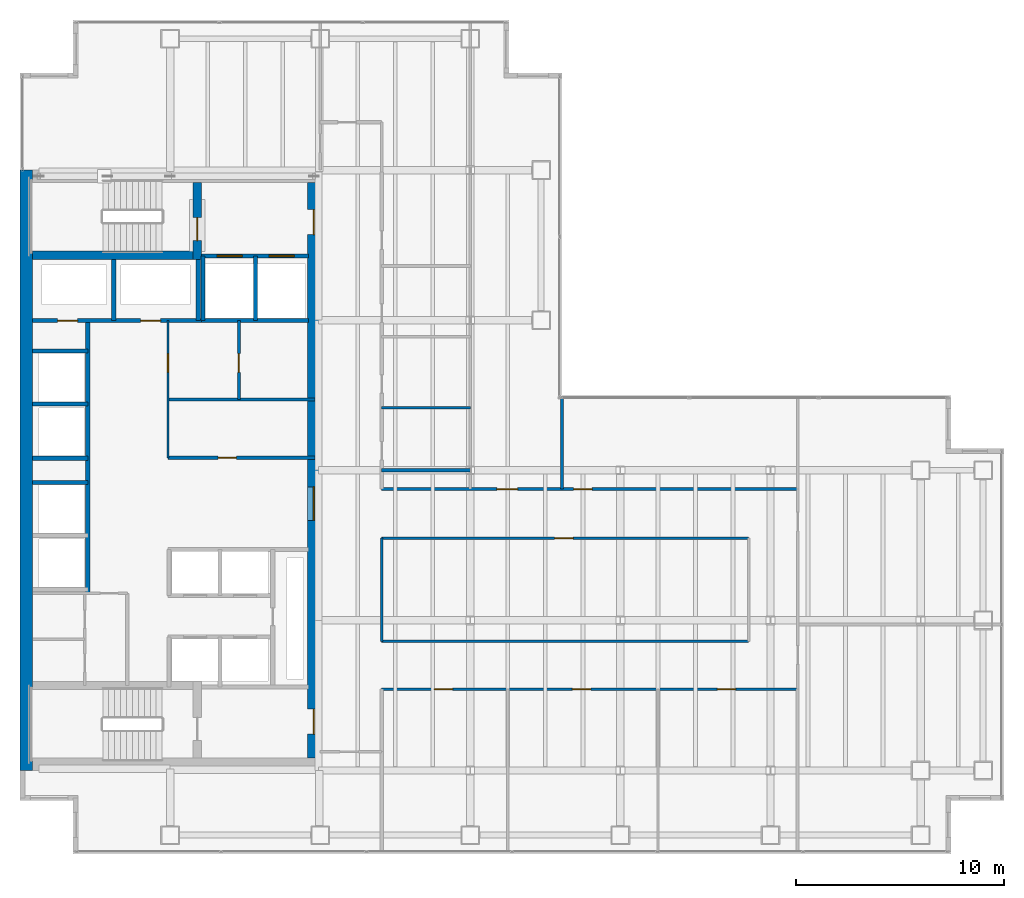
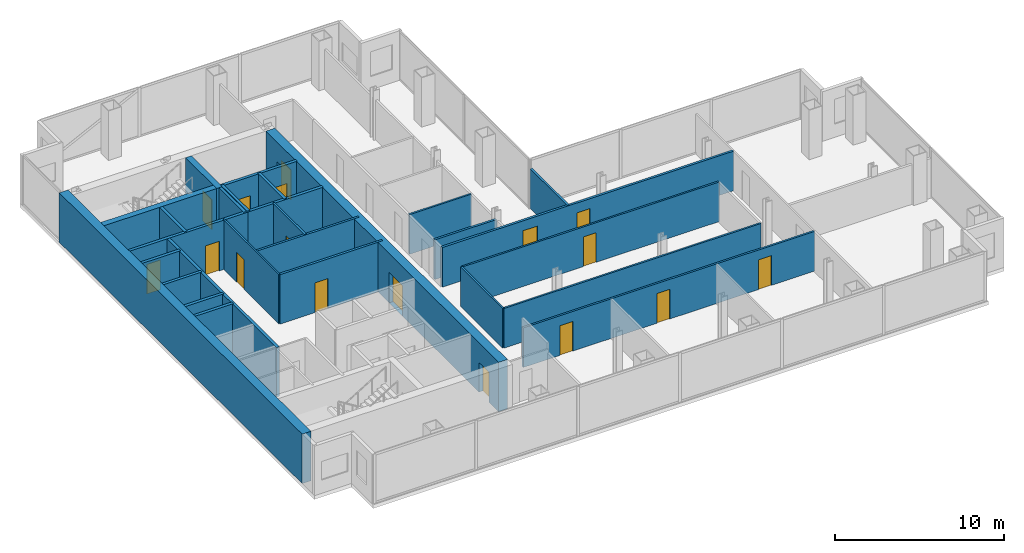
# One storey, part 21 of 24: 28 walls, 17 doors, 17 openings.
"""IFC4 building model written with IfcOpenShell, lengths in metres."""

from ifc_helpers import new_model, si_unit, direction, frame, frame_2d, origin, place, context, subcontext, project, spatial, rectangle, extrude, material, layer, layer_set, type_object, element, fill, save


model = new_model("IFC4")

# Units and contexts
model_context = context("Model", 3, precision=1e-05, world=origin(), true_north=direction((0.0, 1.0)))
body_context = subcontext(model_context, "Body", "Model", "MODEL_VIEW")
ifc_project = project(units=[si_unit("LENGTHUNIT", "METRE"), si_unit("AREAUNIT", "SQUARE_METRE"), si_unit("VOLUMEUNIT", "CUBIC_METRE"), si_unit("PLANEANGLEUNIT", "RADIAN"), si_unit("MASSUNIT", "GRAM", prefix="KILO")], contexts=[model_context])

# Site, building, storey
site_placement = place(None, origin())
site = spatial("IfcSite", under=ifc_project, at=site_placement, CompositionType="ELEMENT")
building_placement = place(site_placement, origin())
building = spatial("IfcBuilding", under=site, at=building_placement, Name="Cobrela Telecom Tower", CompositionType="ELEMENT")
storey_placement = place(building_placement, frame((0.0, 0.0, 136.85009765625)))
storey = spatial("IfcBuildingStorey", under=building, at=storey_placement, Name="L34", CompositionType="ELEMENT", Elevation=136.85009765625)

# Wall
ifc_material_1 = material(Name="Concrete C50/60", Category="concrete")
ifc_layer_1 = layer(ifc_material_1, 0.60009765625)
ifc_layer_set_1 = layer_set([ifc_layer_1], Name="Concrete C50/60")
wall_type_1 = type_object("IfcWallType", Name="WALL-CORE-C50-600", PredefinedType="SHEAR", material=ifc_layer_set_1)
wall_1_placement = place(storey_placement, frame((0.300048828125, 7.199951171875, 0.0), z_axis=(0.0, 0.0, 1.0), x_axis=(0.0, 1.0, 0.0)))
element("IfcWall", 1, at=wall_1_placement, inside=storey, type_object=wall_type_1, Name="L34 West Core Shear Wall", PredefinedType="SHEAR", context=body_context, shape_type="SweptSolid", body=[
    extrude(rectangle(XDim=28.800048828125, YDim=0.60009765625, at=frame_2d((14.39990234375, 0.0))), origin(), (0.0, 0.0, 1.0), 3.579833984375),
])

# Wall, openings, doors
wall_2_placement = place(storey_placement, frame((14.10009765625, 35.39990234375, 0.0), z_axis=(0.0, 0.0, 1.0), x_axis=(0.0, -1.0, 0.0)))
wall_2 = element("IfcWall", 2, at=wall_2_placement, inside=storey, type_object=wall_type_1, Name="L34 East Core Shear Wall", PredefinedType="SHEAR", context=body_context, shape_type="SweptSolid", body=[
    extrude(rectangle(XDim=27.599853515625, YDim=0.60009765625, at=frame_2d((13.7998046875, 0.0))), origin(), (0.0, 0.0, 1.0), 3.579833984375),
])
opening_1_placement = place(wall_2_placement, frame((1.300048828125, 0.0, 0.0)))
opening_1 = element("IfcOpeningElement", 3, at=opening_1_placement, cuts=wall_2, Name="Opening DR-19", PredefinedType="OPENING", context=body_context, shape_type="SweptSolid", body=[
    extrude(rectangle(XDim=1.199951171875, YDim=2.14990234375, at=frame_2d((0.60009765625, 1.074951171875))), frame((0.0, 0.31201171875, 0.0), z_axis=(0.0, -1.0, 0.0), x_axis=(1.0, 0.0, 0.0)), (0.0, 0.0, 1.0), 0.6240234375),
])
opening_2_placement = place(wall_2_placement, frame((25.25, 0.0, 0.0)))
opening_2 = element("IfcOpeningElement", 4, at=opening_2_placement, cuts=wall_2, Name="Opening DR-19", PredefinedType="OPENING", context=body_context, shape_type="SweptSolid", body=[
    extrude(rectangle(XDim=1.199951171875, YDim=2.14990234375, at=frame_2d((0.60009765625, 1.074951171875))), frame((0.0, 0.31201171875, 0.0), z_axis=(0.0, -1.0, 0.0), x_axis=(1.0, 0.0, 0.0)), (0.0, 0.0, 1.0), 0.6240234375),
])
opening_3_placement = place(wall_2_placement, frame((14.60009765625, 0.0, 0.0)))
opening_3 = element("IfcOpeningElement", 5, at=opening_3_placement, cuts=wall_2, Name="Opening DR-51", PredefinedType="OPENING", context=body_context, shape_type="SweptSolid", body=[
    extrude(rectangle(XDim=1.60009765625, YDim=2.199951171875, at=frame_2d((0.800048828125, 1.10009765625))), frame((0.0, 0.31201171875, 0.0), z_axis=(0.0, -1.0, 0.0), x_axis=(1.0, 0.0, 0.0)), (0.0, 0.0, 1.0), 0.6240234375),
])
ifc_material_2 = material(Name="Steel ASTM A36", Category="steel")
door_type_1 = type_object("IfcDoorType", Name="DOOR-FD60-1200", OperationType="SINGLE_SWING_LEFT", PredefinedType="DOOR", material=ifc_material_2)
door_1_placement = place(opening_1_placement, origin())
door_1 = element("IfcDoor", 6, at=door_1_placement, inside=storey, type_object=door_type_1, Name="L34 Door DR-19", OperationType="SINGLE_SWING_LEFT", OverallHeight=2.14990234375, OverallWidth=1.199951171875, PredefinedType="DOOR", context=body_context, shape_type="SweptSolid", body=[
    extrude(rectangle(XDim=1.199951171875, YDim=2.14990234375, at=frame_2d((0.60009765625, 1.074951171875))), frame((0.0, 0.02490234375, 0.0), z_axis=(0.0, -1.0, 0.0), x_axis=(1.0, 0.0, 0.0)), (0.0, 0.0, 1.0), 0.050048828125),
])
fill(opening_1, door_1)
door_2_placement = place(opening_2_placement, origin())
door_2 = element("IfcDoor", 7, at=door_2_placement, inside=storey, type_object=door_type_1, Name="L34 Door DR-19", OperationType="SINGLE_SWING_RIGHT", OverallHeight=2.14990234375, OverallWidth=1.199951171875, PredefinedType="DOOR", context=body_context, shape_type="SweptSolid", body=[
    extrude(rectangle(XDim=1.199951171875, YDim=2.14990234375, at=frame_2d((0.60009765625, 1.074951171875))), frame((0.0, 0.02490234375, 0.0), z_axis=(0.0, -1.0, 0.0), x_axis=(1.0, 0.0, 0.0)), (0.0, 0.0, 1.0), 0.050048828125),
])
fill(opening_2, door_2)
door_type_2 = type_object("IfcDoorType", Name="DOOR-FD60-1600", OperationType="SINGLE_SWING_LEFT", PredefinedType="DOOR", material=ifc_material_2)
door_3_placement = place(opening_3_placement, origin())
door_3 = element("IfcDoor", 8, at=door_3_placement, inside=storey, type_object=door_type_2, Name="L34 Door DR-51", OperationType="DOUBLE_DOOR_SINGLE_SWING", OverallHeight=2.199951171875, OverallWidth=1.60009765625, PredefinedType="DOOR", context=body_context, shape_type="SweptSolid", body=[
    extrude(rectangle(XDim=1.60009765625, YDim=2.199951171875, at=frame_2d((0.800048828125, 1.10009765625))), frame((0.0, 0.02490234375, 0.0), z_axis=(0.0, -1.0, 0.0), x_axis=(1.0, 0.0, 0.0)), (0.0, 0.0, 1.0), 0.050048828125),
])
fill(opening_3, door_3)

# Wall, opening, door
ifc_material_3 = material(Name="Fire-Rated Gypsum Plasterboard")
ifc_layer_2 = layer(ifc_material_3, 0.110107421875)
ifc_layer_set_2 = layer_set([ifc_layer_2], Name="Fire-Rated Gypsum Plasterboard")
wall_type_2 = type_object("IfcWallType", Name="WALL-PART-110", PredefinedType="PARTITIONING", material=ifc_layer_set_2)
wall_3_placement = place(storey_placement, frame((7.10009765625, 22.199951171875, 0.0), z_axis=(0.0, 0.0, 1.0), x_axis=(0.0, 1.0, 0.0)))
wall_3 = element("IfcWall", 9, at=wall_3_placement, inside=storey, type_object=wall_type_2, Name="L34 Interior Partition CW-RECL-W", PredefinedType="PARTITIONING", context=body_context, shape_type="SweptSolid", body=[
    extrude(rectangle(XDim=6.580078125, YDim=0.110107421875, at=frame_2d((3.2900390625, 0.0))), origin(), (0.0, 0.0, 1.0), 3.579833984375),
])
opening_4_placement = place(wall_3_placement, frame((4.10009765625, 0.0, 0.0)))
opening_4 = element("IfcOpeningElement", 10, at=opening_4_placement, cuts=wall_3, Name="Opening DR-41", PredefinedType="OPENING", context=body_context, shape_type="SweptSolid", body=[
    extrude(rectangle(XDim=0.89990234375, YDim=2.14990234375, at=frame_2d((0.449951171875, 1.074951171875))), frame((0.0, 0.06689453125, 0.0), z_axis=(0.0, -1.0, 0.0), x_axis=(1.0, 0.0, 0.0)), (0.0, 0.0, 1.0), 0.134033203125),
])
ifc_material_4 = material(Name="Solid Engineered Oak Timber", Category="wood")
door_type_3 = type_object("IfcDoorType", Name="DOOR-INT-900", OperationType="SINGLE_SWING_LEFT", PredefinedType="DOOR", material=ifc_material_4)
door_4_placement = place(opening_4_placement, origin())
door_4 = element("IfcDoor", 11, at=door_4_placement, inside=storey, type_object=door_type_3, Name="L34 Door DR-41", OperationType="SINGLE_SWING_RIGHT", OverallHeight=2.14990234375, OverallWidth=0.89990234375, PredefinedType="DOOR", context=body_context, shape_type="SweptSolid", body=[
    extrude(rectangle(XDim=0.89990234375, YDim=2.14990234375, at=frame_2d((0.449951171875, 1.074951171875))), frame((0.0, 0.02490234375, 0.0), z_axis=(0.0, -1.0, 0.0), x_axis=(1.0, 0.0, 0.0)), (0.0, 0.0, 1.0), 0.050048828125),
])
fill(opening_4, door_4)

# Walls
ifc_layer_3 = layer(ifc_material_3, 0.125)
ifc_layer_set_3 = layer_set([ifc_layer_3], Name="Fire-Rated Gypsum Plasterboard")
wall_type_3 = type_object("IfcWallType", Name="WALL-PART-125", PredefinedType="PARTITIONING", material=ifc_layer_set_3)
wall_4_placement = place(storey_placement, frame((17.35009765625, 13.39990234375, 0.0), z_axis=(0.0, 0.0, 1.0), x_axis=(0.0, 1.0, 0.0)))
element("IfcWall", 12, at=wall_4_placement, inside=storey, type_object=wall_type_3, Name="L34 Interior Partition W-ISL-W", PredefinedType="PARTITIONING", context=body_context, shape_type="SweptSolid", body=[
    extrude(rectangle(XDim=4.9501953125, YDim=0.125, at=frame_2d((2.47509765625, 0.0))), origin(), (0.0, 0.0, 1.0), 2.868896484375),
])
wall_5_placement = place(storey_placement, frame((17.35009765625, 13.39990234375, 0.0), z_axis=(0.0, 0.0, 1.0), x_axis=(1.0, 0.0, 0.0)))
element("IfcWall", 13, at=wall_5_placement, inside=storey, type_object=wall_type_3, Name="L34 Interior Partition W-ISL-S", PredefinedType="PARTITIONING", context=body_context, shape_type="SweptSolid", body=[
    extrude(rectangle(XDim=17.599853515625, YDim=0.125, at=frame_2d((8.7998046875, 0.0))), origin(), (0.0, 0.0, 1.0), 2.868896484375),
])

# Wall, opening, door
wall_6_placement = place(storey_placement, frame((17.35009765625, 18.35009765625, 0.0), z_axis=(0.0, 0.0, 1.0), x_axis=(1.0, 0.0, 0.0)))
wall_6 = element("IfcWall", 14, at=wall_6_placement, inside=storey, type_object=wall_type_3, Name="L34 Interior Partition W-ISL-N", PredefinedType="PARTITIONING", context=body_context, shape_type="SweptSolid", body=[
    extrude(rectangle(XDim=17.599853515625, YDim=0.125, at=frame_2d((8.7998046875, 0.0))), origin(), (0.0, 0.0, 1.0), 2.868896484375),
])
opening_5_placement = place(wall_6_placement, frame((8.300048828125, 0.0, 0.0)))
opening_5 = element("IfcOpeningElement", 15, at=opening_5_placement, cuts=wall_6, Name="Opening DR-39", PredefinedType="OPENING", context=body_context, shape_type="SweptSolid", body=[
    extrude(rectangle(XDim=0.8798828125, YDim=2.14990234375, at=frame_2d((0.43994140625, 1.074951171875))), frame((0.0, 0.074462890625, 0.0), z_axis=(0.0, -1.0, 0.0), x_axis=(1.0, 0.0, 0.0)), (0.0, 0.0, 1.0), 0.14892578125),
])
door_type_4 = type_object("IfcDoorType", Name="DOOR-INT-880", OperationType="SINGLE_SWING_LEFT", PredefinedType="DOOR", material=ifc_material_4)
door_5_placement = place(opening_5_placement, origin())
door_5 = element("IfcDoor", 16, at=door_5_placement, inside=storey, type_object=door_type_4, Name="L34 Door DR-39", OperationType="SINGLE_SWING_LEFT", OverallHeight=2.14990234375, OverallWidth=0.8798828125, PredefinedType="DOOR", context=body_context, shape_type="SweptSolid", body=[
    extrude(rectangle(XDim=0.8798828125, YDim=2.14990234375, at=frame_2d((0.43994140625, 1.074951171875))), frame((0.0, 0.02490234375, 0.0), z_axis=(0.0, -1.0, 0.0), x_axis=(1.0, 0.0, 0.0)), (0.0, 0.0, 1.0), 0.050048828125),
])
fill(opening_5, door_5)

# Wall
wall_7_placement = place(storey_placement, frame((17.35009765625, 24.60009765625, 0.0), z_axis=(0.0, 0.0, 1.0), x_axis=(1.0, 0.0, 0.0)))
element("IfcWall", 17, at=wall_7_placement, inside=storey, type_object=wall_type_3, Name="L34 Interior Partition W-WC-1", PredefinedType="PARTITIONING", context=body_context, shape_type="SweptSolid", body=[
    extrude(rectangle(XDim=4.25, YDim=0.125, at=frame_2d((2.125, 0.0))), origin(), (0.0, 0.0, 1.0), 2.868896484375),
])

# Wall, opening, door
ifc_layer_4 = layer(ifc_material_3, 0.135009765625)
ifc_layer_set_4 = layer_set([ifc_layer_4], Name="Fire-Rated Gypsum Plasterboard")
wall_type_4 = type_object("IfcWallType", Name="WALL-PART-135", PredefinedType="PARTITIONING", material=ifc_layer_set_4)
wall_8_placement = place(storey_placement, frame((10.5, 25.0, 0.0), z_axis=(0.0, 0.0, 1.0), x_axis=(0.0, 1.0, 0.0)))
wall_8 = element("IfcWall", 18, at=wall_8_placement, inside=storey, type_object=wall_type_4, Name="L34 Interior Partition CW-RECL-VN", PredefinedType="PARTITIONING", context=body_context, shape_type="SweptSolid", body=[
    extrude(rectangle(XDim=3.780029296875, YDim=0.135009765625, at=frame_2d((1.89013671875, 0.0))), origin(), (0.0, 0.0, 1.0), 3.579833984375),
])
opening_6_placement = place(wall_8_placement, frame((1.300048828125, 0.0, 0.0)))
opening_6 = element("IfcOpeningElement", 19, at=opening_6_placement, cuts=wall_8, Name="Opening DR-41", PredefinedType="OPENING", context=body_context, shape_type="SweptSolid", body=[
    extrude(rectangle(XDim=0.89990234375, YDim=2.14990234375, at=frame_2d((0.449951171875, 1.074951171875))), frame((0.0, 0.07958984375, 0.0), z_axis=(0.0, -1.0, 0.0), x_axis=(1.0, 0.0, 0.0)), (0.0, 0.0, 1.0), 0.158935546875),
])
door_6_placement = place(opening_6_placement, origin())
door_6 = element("IfcDoor", 20, at=door_6_placement, inside=storey, type_object=door_type_3, Name="L34 Door DR-41", OperationType="SINGLE_SWING_LEFT", OverallHeight=2.14990234375, OverallWidth=0.89990234375, PredefinedType="DOOR", context=body_context, shape_type="SweptSolid", body=[
    extrude(rectangle(XDim=0.89990234375, YDim=2.14990234375, at=frame_2d((0.449951171875, 1.074951171875))), frame((0.0, 0.02490234375, 0.0), z_axis=(0.0, -1.0, 0.0), x_axis=(1.0, 0.0, 0.0)), (0.0, 0.0, 1.0), 0.050048828125),
])
fill(opening_6, door_6)

# Wall, openings, doors
wall_9_placement = place(storey_placement, frame((17.35009765625, 11.10009765625, 0.0), z_axis=(0.0, 0.0, 1.0), x_axis=(1.0, 0.0, 0.0)))
wall_9 = element("IfcWall", 21, at=wall_9_placement, inside=storey, type_object=wall_type_4, Name="L34 Interior Partition W-US-S", PredefinedType="PARTITIONING", context=body_context, shape_type="SweptSolid", body=[
    extrude(rectangle(XDim=19.949951171875, YDim=0.135009765625, at=frame_2d((9.97509765625, 0.0))), origin(), (0.0, 0.0, 1.0), 2.868896484375),
])
opening_7_placement = place(wall_9_placement, frame((2.52001953125, 0.0, 0.0)))
opening_7 = element("IfcOpeningElement", 22, at=opening_7_placement, cuts=wall_9, Name="Opening DR-39", PredefinedType="OPENING", context=body_context, shape_type="SweptSolid", body=[
    extrude(rectangle(XDim=0.8798828125, YDim=2.14990234375, at=frame_2d((0.43994140625, 1.074951171875))), frame((0.0, 0.07958984375, 0.0), z_axis=(0.0, -1.0, 0.0), x_axis=(1.0, 0.0, 0.0)), (0.0, 0.0, 1.0), 0.158935546875),
])
opening_8_placement = place(wall_9_placement, frame((9.14990234375, 0.0, 0.0)))
opening_8 = element("IfcOpeningElement", 23, at=opening_8_placement, cuts=wall_9, Name="Opening DR-39", PredefinedType="OPENING", context=body_context, shape_type="SweptSolid", body=[
    extrude(rectangle(XDim=0.8798828125, YDim=2.14990234375, at=frame_2d((0.43994140625, 1.074951171875))), frame((0.0, 0.07958984375, 0.0), z_axis=(0.0, -1.0, 0.0), x_axis=(1.0, 0.0, 0.0)), (0.0, 0.0, 1.0), 0.158935546875),
])
opening_9_placement = place(wall_9_placement, frame((16.10009765625, 0.0, 0.0)))
opening_9 = element("IfcOpeningElement", 24, at=opening_9_placement, cuts=wall_9, Name="Opening DR-39", PredefinedType="OPENING", context=body_context, shape_type="SweptSolid", body=[
    extrude(rectangle(XDim=0.8798828125, YDim=2.14990234375, at=frame_2d((0.43994140625, 1.074951171875))), frame((0.0, 0.07958984375, 0.0), z_axis=(0.0, -1.0, 0.0), x_axis=(1.0, 0.0, 0.0)), (0.0, 0.0, 1.0), 0.158935546875),
])
door_7_placement = place(opening_7_placement, origin())
door_7 = element("IfcDoor", 25, at=door_7_placement, inside=storey, type_object=door_type_4, Name="L34 Door DR-39", OperationType="SINGLE_SWING_LEFT", OverallHeight=2.14990234375, OverallWidth=0.8798828125, PredefinedType="DOOR", context=body_context, shape_type="SweptSolid", body=[
    extrude(rectangle(XDim=0.8798828125, YDim=2.14990234375, at=frame_2d((0.43994140625, 1.074951171875))), frame((0.0, 0.02490234375, 0.0), z_axis=(0.0, -1.0, 0.0), x_axis=(1.0, 0.0, 0.0)), (0.0, 0.0, 1.0), 0.050048828125),
])
fill(opening_7, door_7)
door_8_placement = place(opening_8_placement, origin())
door_8 = element("IfcDoor", 26, at=door_8_placement, inside=storey, type_object=door_type_4, Name="L34 Door DR-39", OperationType="SINGLE_SWING_RIGHT", OverallHeight=2.14990234375, OverallWidth=0.8798828125, PredefinedType="DOOR", context=body_context, shape_type="SweptSolid", body=[
    extrude(rectangle(XDim=0.8798828125, YDim=2.14990234375, at=frame_2d((0.43994140625, 1.074951171875))), frame((0.0, 0.02490234375, 0.0), z_axis=(0.0, -1.0, 0.0), x_axis=(1.0, 0.0, 0.0)), (0.0, 0.0, 1.0), 0.050048828125),
])
fill(opening_8, door_8)
door_9_placement = place(opening_9_placement, origin())
door_9 = element("IfcDoor", 27, at=door_9_placement, inside=storey, type_object=door_type_4, Name="L34 Door DR-39", OperationType="SINGLE_SWING_LEFT", OverallHeight=2.14990234375, OverallWidth=0.8798828125, PredefinedType="DOOR", context=body_context, shape_type="SweptSolid", body=[
    extrude(rectangle(XDim=0.8798828125, YDim=2.14990234375, at=frame_2d((0.43994140625, 1.074951171875))), frame((0.0, 0.02490234375, 0.0), z_axis=(0.0, -1.0, 0.0), x_axis=(1.0, 0.0, 0.0)), (0.0, 0.0, 1.0), 0.050048828125),
])
fill(opening_9, door_9)

# Walls
ifc_layer_5 = layer(ifc_material_3, 0.14990234375)
ifc_layer_set_5 = layer_set([ifc_layer_5], Name="Fire-Rated Gypsum Plasterboard")
wall_type_5 = type_object("IfcWallType", Name="WALL-PART-150", PredefinedType="PARTITIONING", material=ifc_layer_set_5)
wall_10_placement = place(storey_placement, frame((7.10009765625, 25.0, 0.0), z_axis=(0.0, 0.0, 1.0), x_axis=(1.0, 0.0, 0.0)))
element("IfcWall", 28, at=wall_10_placement, inside=storey, type_object=wall_type_5, Name="L34 Interior Partition CW-RECL-H", PredefinedType="PARTITIONING", context=body_context, shape_type="SweptSolid", body=[
    extrude(rectangle(XDim=7.0498046875, YDim=0.14990234375, at=frame_2d((3.52490234375, 0.0))), origin(), (0.0, 0.0, 1.0), 3.579833984375),
])
wall_11_placement = place(storey_placement, frame((17.35009765625, 21.60009765625, 0.0), z_axis=(0.0, 0.0, 1.0), x_axis=(1.0, 0.0, 0.0)))
element("IfcWall", 29, at=wall_11_placement, inside=storey, type_object=wall_type_5, Name="L34 Interior Partition W-WC-B", PredefinedType="PARTITIONING", context=body_context, shape_type="SweptSolid", body=[
    extrude(rectangle(XDim=4.25, YDim=0.14990234375, at=frame_2d((2.125, 0.0))), origin(), (0.0, 0.0, 1.0), 2.868896484375),
])
wall_12_placement = place(storey_placement, frame((26.0, 20.699951171875, 0.0), z_axis=(0.0, 0.0, 1.0), x_axis=(0.0, 1.0, 0.0)))
element("IfcWall", 30, at=wall_12_placement, inside=storey, type_object=wall_type_5, Name="L34 Interior Partition W-UEN-W", PredefinedType="PARTITIONING", context=body_context, shape_type="SweptSolid", body=[
    extrude(rectangle(XDim=4.380126953125, YDim=0.14990234375, at=frame_2d((2.18994140625, 0.0))), origin(), (0.0, 0.0, 1.0), 2.868896484375),
])

# Wall, opening, door
ifc_layer_6 = layer(ifc_material_3, 0.159912109375)
ifc_layer_set_6 = layer_set([ifc_layer_6], Name="Fire-Rated Gypsum Plasterboard")
wall_type_6 = type_object("IfcWallType", Name="WALL-PART-160", PredefinedType="PARTITIONING", material=ifc_layer_set_6)
wall_13_placement = place(storey_placement, frame((7.10009765625, 22.199951171875, 0.0), z_axis=(0.0, 0.0, 1.0), x_axis=(1.0, 0.0, 0.0)))
wall_13 = element("IfcWall", 31, at=wall_13_placement, inside=storey, type_object=wall_type_6, Name="L34 Interior Partition CW-RECL-S", PredefinedType="PARTITIONING", context=body_context, shape_type="SweptSolid", body=[
    extrude(rectangle(XDim=7.0498046875, YDim=0.159912109375, at=frame_2d((3.52490234375, 0.0))), origin(), (0.0, 0.0, 1.0), 3.579833984375),
])
opening_10_placement = place(wall_13_placement, frame((2.39990234375, 0.0, 0.0)))
opening_10 = element("IfcOpeningElement", 32, at=opening_10_placement, cuts=wall_13, Name="Opening DR-39", PredefinedType="OPENING", context=body_context, shape_type="SweptSolid", body=[
    extrude(rectangle(XDim=0.8798828125, YDim=2.14990234375, at=frame_2d((0.43994140625, 1.074951171875))), frame((0.0, 0.091796875, 0.0), z_axis=(0.0, -1.0, 0.0), x_axis=(1.0, 0.0, 0.0)), (0.0, 0.0, 1.0), 0.183837890625),
])
door_10_placement = place(opening_10_placement, origin())
door_10 = element("IfcDoor", 33, at=door_10_placement, inside=storey, type_object=door_type_4, Name="L34 Door DR-39", OperationType="SINGLE_SWING_LEFT", OverallHeight=2.14990234375, OverallWidth=0.8798828125, PredefinedType="DOOR", context=body_context, shape_type="SweptSolid", body=[
    extrude(rectangle(XDim=0.8798828125, YDim=2.14990234375, at=frame_2d((0.43994140625, 1.074951171875))), frame((0.0, 0.02490234375, 0.0), z_axis=(0.0, -1.0, 0.0), x_axis=(1.0, 0.0, 0.0)), (0.0, 0.0, 1.0), 0.050048828125),
])
fill(opening_10, door_10)

# Wall, openings, doors
wall_14_placement = place(storey_placement, frame((17.35009765625, 20.699951171875, 0.0), z_axis=(0.0, 0.0, 1.0), x_axis=(1.0, 0.0, 0.0)))
wall_14 = element("IfcWall", 34, at=wall_14_placement, inside=storey, type_object=wall_type_6, Name="L34 Interior Partition W-UN-N", PredefinedType="PARTITIONING", context=body_context, shape_type="SweptSolid", body=[
    extrude(rectangle(XDim=19.949951171875, YDim=0.159912109375, at=frame_2d((9.97509765625, 0.0))), origin(), (0.0, 0.0, 1.0), 2.868896484375),
])
opening_11_placement = place(wall_14_placement, frame((5.52001953125, 0.0, 0.0)))
opening_11 = element("IfcOpeningElement", 35, at=opening_11_placement, cuts=wall_14, Name="Opening DR-31", PredefinedType="OPENING", context=body_context, shape_type="SweptSolid", body=[
    extrude(rectangle(XDim=1.0, YDim=2.14990234375, at=frame_2d((0.5, 1.074951171875))), frame((0.0, 0.091796875, 0.0), z_axis=(0.0, -1.0, 0.0), x_axis=(1.0, 0.0, 0.0)), (0.0, 0.0, 1.0), 0.183837890625),
])
opening_12_placement = place(wall_14_placement, frame((9.2099609375, 0.0, 0.0)))
opening_12 = element("IfcOpeningElement", 36, at=opening_12_placement, cuts=wall_14, Name="Opening DR-39", PredefinedType="OPENING", context=body_context, shape_type="SweptSolid", body=[
    extrude(rectangle(XDim=0.8798828125, YDim=2.14990234375, at=frame_2d((0.43994140625, 1.074951171875))), frame((0.0, 0.091796875, 0.0), z_axis=(0.0, -1.0, 0.0), x_axis=(1.0, 0.0, 0.0)), (0.0, 0.0, 1.0), 0.183837890625),
])
door_type_5 = type_object("IfcDoorType", Name="DOOR-INT-1000", OperationType="SINGLE_SWING_LEFT", PredefinedType="DOOR", material=ifc_material_4)
door_11_placement = place(opening_11_placement, origin())
door_11 = element("IfcDoor", 37, at=door_11_placement, inside=storey, type_object=door_type_5, Name="L34 Door DR-31", OperationType="SINGLE_SWING_LEFT", OverallHeight=2.14990234375, OverallWidth=1.0, PredefinedType="DOOR", context=body_context, shape_type="SweptSolid", body=[
    extrude(rectangle(XDim=1.0, YDim=2.14990234375, at=frame_2d((0.5, 1.074951171875))), frame((0.0, 0.02490234375, 0.0), z_axis=(0.0, -1.0, 0.0), x_axis=(1.0, 0.0, 0.0)), (0.0, 0.0, 1.0), 0.050048828125),
])
fill(opening_11, door_11)
door_12_placement = place(opening_12_placement, origin())
door_12 = element("IfcDoor", 38, at=door_12_placement, inside=storey, type_object=door_type_4, Name="L34 Door DR-39", OperationType="SINGLE_SWING_RIGHT", OverallHeight=2.14990234375, OverallWidth=0.8798828125, PredefinedType="DOOR", context=body_context, shape_type="SweptSolid", body=[
    extrude(rectangle(XDim=0.8798828125, YDim=2.14990234375, at=frame_2d((0.43994140625, 1.074951171875))), frame((0.0, 0.02490234375, 0.0), z_axis=(0.0, -1.0, 0.0), x_axis=(1.0, 0.0, 0.0)), (0.0, 0.0, 1.0), 0.050048828125),
])
fill(opening_12, door_12)

ifc_layer_7 = layer(ifc_material_3, 0.199951171875)
ifc_layer_set_7 = layer_set([ifc_layer_7], Name="Fire-Rated Gypsum Plasterboard")
wall_type_7 = type_object("IfcWallType", Name="WALL-SHAFT-200", PredefinedType="PARTITIONING", material=ifc_layer_set_7)
wall_15_placement = place(storey_placement, frame((8.699951171875, 31.8798828125, 0.0), z_axis=(0.0, 0.0, 1.0), x_axis=(1.0, 0.0, 0.0)))
wall_15 = element("IfcWall", 39, at=wall_15_placement, inside=storey, type_object=wall_type_7, Name="L34 Shaft Enclosure CW-FFL-S", PredefinedType="PARTITIONING", context=body_context, shape_type="SweptSolid", body=[
    extrude(rectangle(XDim=5.150146484375, YDim=0.199951171875, at=frame_2d((2.5751953125, 0.0))), origin(), (0.0, 0.0, 1.0), 3.579833984375),
])
opening_13_placement = place(wall_15_placement, frame((0.75, 0.0, 0.0)))
opening_13 = element("IfcOpeningElement", 40, at=opening_13_placement, cuts=wall_15, Name="Opening LD-2", PredefinedType="OPENING", context=body_context, shape_type="SweptSolid", body=[
    extrude(rectangle(XDim=1.199951171875, YDim=2.199951171875, at=frame_2d((0.60009765625, 1.10009765625))), frame((0.0, 0.11181640625, 0.0), z_axis=(0.0, -1.0, 0.0), x_axis=(1.0, 0.0, 0.0)), (0.0, 0.0, 1.0), 0.223876953125),
])
opening_14_placement = place(wall_15_placement, frame((3.25, 0.0, 0.0)))
opening_14 = element("IfcOpeningElement", 41, at=opening_14_placement, cuts=wall_15, Name="Opening LD-2", PredefinedType="OPENING", context=body_context, shape_type="SweptSolid", body=[
    extrude(rectangle(XDim=1.199951171875, YDim=2.199951171875, at=frame_2d((0.60009765625, 1.10009765625))), frame((0.0, 0.11181640625, 0.0), z_axis=(0.0, -1.0, 0.0), x_axis=(1.0, 0.0, 0.0)), (0.0, 0.0, 1.0), 0.223876953125),
])
door_type_6 = type_object("IfcDoorType", Name="DOOR-LD-FFL", OperationType="SINGLE_SWING_LEFT", PredefinedType="DOOR", material=ifc_material_2)
door_13_placement = place(opening_13_placement, origin())
door_13 = element("IfcDoor", 42, at=door_13_placement, inside=storey, type_object=door_type_6, Name="L34 Lift Landing Door LD-2", OperationType="DOUBLE_DOOR_SLIDING", OverallHeight=2.199951171875, OverallWidth=1.199951171875, PredefinedType="DOOR", context=body_context, shape_type="SweptSolid", body=[
    extrude(rectangle(XDim=1.199951171875, YDim=2.199951171875, at=frame_2d((0.60009765625, 1.10009765625))), frame((0.0, 0.02490234375, 0.0), z_axis=(0.0, -1.0, 0.0), x_axis=(1.0, 0.0, 0.0)), (0.0, 0.0, 1.0), 0.050048828125),
])
fill(opening_13, door_13)
door_14_placement = place(opening_14_placement, origin())
door_14 = element("IfcDoor", 43, at=door_14_placement, inside=storey, type_object=door_type_6, Name="L34 Lift Landing Door LD-2", OperationType="DOUBLE_DOOR_SLIDING", OverallHeight=2.199951171875, OverallWidth=1.199951171875, PredefinedType="DOOR", context=body_context, shape_type="SweptSolid", body=[
    extrude(rectangle(XDim=1.199951171875, YDim=2.199951171875, at=frame_2d((0.60009765625, 1.10009765625))), frame((0.0, 0.02490234375, 0.0), z_axis=(0.0, -1.0, 0.0), x_axis=(1.0, 0.0, 0.0)), (0.0, 0.0, 1.0), 0.050048828125),
])
fill(opening_14, door_14)

# Walls
wall_16_placement = place(storey_placement, frame((8.699951171875, 28.780029296875, 0.0), z_axis=(0.0, 0.0, 1.0), x_axis=(1.0, 0.0, 0.0)))
element("IfcWall", 44, at=wall_16_placement, inside=storey, type_object=wall_type_7, Name="L34 Shaft Enclosure CW-FFL-S2", PredefinedType="PARTITIONING", context=body_context, shape_type="SweptSolid", body=[
    extrude(rectangle(XDim=5.150146484375, YDim=0.199951171875, at=frame_2d((2.5751953125, 0.0))), origin(), (0.0, 0.0, 1.0), 3.579833984375),
])
for number, where, z_axis, x_axis, name in (
    (45, (8.780029296875, 28.780029296875, 0.0), (0.0, 0.0, 1.0), (0.0, 1.0, 0.0), "L34 Shaft Enclosure CW-FFL-W"),
    (46, (11.300048828125, 28.780029296875, 0.0), (0.0, 0.0, 1.0), (0.0, 1.0, 0.0), "L34 Shaft Enclosure CW-FFL-M"),
):
    element("IfcWall", number, at=place(storey_placement, frame(where, z_axis=z_axis, x_axis=x_axis)), inside=storey, type_object=wall_type_7, Name=name, PredefinedType="PARTITIONING", context=body_context, shape_type="SweptSolid", body=[
        extrude(rectangle(XDim=3.099853515625, YDim=0.199951171875, at=frame_2d((1.5498046875, 0.0))), origin(), (0.0, 0.0, 1.0), 3.579833984375),
    ])

# Wall, openings, doors
wall_17_placement = place(storey_placement, frame((0.60009765625, 28.780029296875, 0.0), z_axis=(0.0, 0.0, 1.0), x_axis=(1.0, 0.0, 0.0)))
wall_17 = element("IfcWall", 47, at=wall_17_placement, inside=storey, type_object=wall_type_7, Name="L34 Shaft Enclosure CW-RIS-S", PredefinedType="PARTITIONING", context=body_context, shape_type="SweptSolid", body=[
    extrude(rectangle(XDim=8.179931640625, YDim=0.199951171875, at=frame_2d((4.08984375, 0.0))), origin(), (0.0, 0.0, 1.0), 3.579833984375),
])
opening_15_placement = place(wall_17_placement, frame((1.2099609375, 0.0, 0.0)))
opening_15 = element("IfcOpeningElement", 48, at=opening_15_placement, cuts=wall_17, Name="Opening DR-65", PredefinedType="OPENING", context=body_context, shape_type="SweptSolid", body=[
    extrude(rectangle(XDim=0.949951171875, YDim=2.14990234375, at=frame_2d((0.47509765625, 1.074951171875))), frame((0.0, 0.11181640625, 0.0), z_axis=(0.0, -1.0, 0.0), x_axis=(1.0, 0.0, 0.0)), (0.0, 0.0, 1.0), 0.223876953125),
])
opening_16_placement = place(wall_17_placement, frame((5.18994140625, 0.0, 0.0)))
opening_16 = element("IfcOpeningElement", 49, at=opening_16_placement, cuts=wall_17, Name="Opening DR-65", PredefinedType="OPENING", context=body_context, shape_type="SweptSolid", body=[
    extrude(rectangle(XDim=0.949951171875, YDim=2.14990234375, at=frame_2d((0.47509765625, 1.074951171875))), frame((0.0, 0.11181640625, 0.0), z_axis=(0.0, -1.0, 0.0), x_axis=(1.0, 0.0, 0.0)), (0.0, 0.0, 1.0), 0.223876953125),
])
door_type_7 = type_object("IfcDoorType", Name="DOOR-FD60-950", OperationType="SINGLE_SWING_LEFT", PredefinedType="DOOR", material=ifc_material_2)
door_15_placement = place(opening_15_placement, origin())
door_15 = element("IfcDoor", 50, at=door_15_placement, inside=storey, type_object=door_type_7, Name="L34 Door DR-65", OperationType="SINGLE_SWING_LEFT", OverallHeight=2.14990234375, OverallWidth=0.949951171875, PredefinedType="DOOR", context=body_context, shape_type="SweptSolid", body=[
    extrude(rectangle(XDim=0.949951171875, YDim=2.14990234375, at=frame_2d((0.47509765625, 1.074951171875))), frame((0.0, 0.02490234375, 0.0), z_axis=(0.0, -1.0, 0.0), x_axis=(1.0, 0.0, 0.0)), (0.0, 0.0, 1.0), 0.050048828125),
])
fill(opening_15, door_15)
door_16_placement = place(opening_16_placement, origin())
door_16 = element("IfcDoor", 51, at=door_16_placement, inside=storey, type_object=door_type_7, Name="L34 Door DR-65", OperationType="SINGLE_SWING_RIGHT", OverallHeight=2.14990234375, OverallWidth=0.949951171875, PredefinedType="DOOR", context=body_context, shape_type="SweptSolid", body=[
    extrude(rectangle(XDim=0.949951171875, YDim=2.14990234375, at=frame_2d((0.47509765625, 1.074951171875))), frame((0.0, 0.02490234375, 0.0), z_axis=(0.0, -1.0, 0.0), x_axis=(1.0, 0.0, 0.0)), (0.0, 0.0, 1.0), 0.050048828125),
])
fill(opening_16, door_16)

# Walls
for number, where, z_axis, x_axis, name in (
    (52, (4.5, 28.780029296875, 0.0), (0.0, 0.0, 1.0), (0.0, 1.0, 0.0), "L34 Shaft Enclosure CW-RIS-M"),
    (53, (8.550048828125, 28.780029296875, 0.0), (0.0, 0.0, 1.0), (0.0, 1.0, 0.0), "L34 Shaft Enclosure CW-RIS-E"),
):
    element("IfcWall", number, at=place(storey_placement, frame(where, z_axis=z_axis, x_axis=x_axis)), inside=storey, type_object=wall_type_7, Name=name, PredefinedType="PARTITIONING", context=body_context, shape_type="SweptSolid", body=[
        extrude(rectangle(XDim=2.93994140625, YDim=0.199951171875, at=frame_2d((1.469970703125, 0.0))), origin(), (0.0, 0.0, 1.0), 3.579833984375),
    ])
wall_18_placement = place(storey_placement, frame((3.25, 15.699951171875, 0.0), z_axis=(0.0, 0.0, 1.0), x_axis=(0.0, 1.0, 0.0)))
element("IfcWall", 54, at=wall_18_placement, inside=storey, type_object=wall_type_7, Name="L34 Shaft Enclosure CW-PLH-E", PredefinedType="PARTITIONING", context=body_context, shape_type="SweptSolid", body=[
    extrude(rectangle(XDim=13.080078125, YDim=0.199951171875, at=frame_2d((6.5400390625, 0.0))), origin(), (0.0, 0.0, 1.0), 3.579833984375),
])
for number, where, z_axis, x_axis, name in (
    (55, (0.60009765625, 22.179931640625, 0.0), (0.0, 0.0, 1.0), (1.0, 0.0, 0.0), "L34 Shaft Enclosure CW-PLH-D11"),
    (56, (0.60009765625, 24.780029296875, 0.0), (0.0, 0.0, 1.0), (1.0, 0.0, 0.0), "L34 Shaft Enclosure CW-PLH-D12"),
    (57, (0.60009765625, 21.02001953125, 0.0), (0.0, 0.0, 1.0), (1.0, 0.0, 0.0), "L34 Shaft Enclosure CW-PLH-MID"),
    (58, (0.60009765625, 27.320068359375, 0.0), (0.0, 0.0, 1.0), (1.0, 0.0, 0.0), "L34 Shaft Enclosure CW-PLH-TOP"),
):
    element("IfcWall", number, at=place(storey_placement, frame(where, z_axis=z_axis, x_axis=x_axis)), inside=storey, type_object=wall_type_7, Name=name, PredefinedType="PARTITIONING", context=body_context, shape_type="SweptSolid", body=[
        extrude(rectangle(XDim=2.64990234375, YDim=0.199951171875, at=frame_2d((1.324951171875, 0.0))), origin(), (0.0, 0.0, 1.0), 3.579833984375),
    ])
ifc_material_5 = material(Name="Concrete C40/50", Category="concrete")
ifc_layer_8 = layer(ifc_material_5, 0.39990234375)
ifc_layer_set_8 = layer_set([ifc_layer_8], Name="Concrete C40/50")
wall_type_8 = type_object("IfcWallType", Name="WALL-SHAFT-C40-400", PredefinedType="SHEAR", material=ifc_layer_set_8)
wall_19_placement = place(storey_placement, frame((0.60009765625, 31.919921875, 0.0), z_axis=(0.0, 0.0, 1.0), x_axis=(1.0, 0.0, 0.0)))
element("IfcWall", 59, at=wall_19_placement, inside=storey, type_object=wall_type_8, Name="L34 North Stair Shear Wall", PredefinedType="SHEAR", context=body_context, shape_type="SweptSolid", body=[
    extrude(rectangle(XDim=7.699951171875, YDim=0.39990234375, at=frame_2d((3.85009765625, 0.0))), origin(), (0.0, 0.0, 1.0), 3.579833984375),
])

# Wall, opening, door
wall_20_placement = place(storey_placement, frame((8.5, 31.719970703125, 0.0), z_axis=(0.0, 0.0, 1.0), x_axis=(0.0, 1.0, 0.0)))
wall_20 = element("IfcWall", 60, at=wall_20_placement, inside=storey, type_object=wall_type_8, Name="L34 North Stair Lobby Shear Wall", PredefinedType="SHEAR", context=body_context, shape_type="SweptSolid", body=[
    extrude(rectangle(XDim=3.679931640625, YDim=0.39990234375, at=frame_2d((1.83984375, 0.0))), origin(), (0.0, 0.0, 1.0), 3.579833984375),
])
opening_17_placement = place(wall_20_placement, frame((0.89990234375, 0.0, 0.0)))
opening_17 = element("IfcOpeningElement", 61, at=opening_17_placement, cuts=wall_20, Name="Opening DR-59", PredefinedType="OPENING", context=body_context, shape_type="SweptSolid", body=[
    extrude(rectangle(XDim=1.10009765625, YDim=2.14990234375, at=frame_2d((0.550048828125, 1.074951171875))), frame((0.0, 0.2119140625, 0.0), z_axis=(0.0, -1.0, 0.0), x_axis=(1.0, 0.0, 0.0)), (0.0, 0.0, 1.0), 0.423828125),
])
door_type_8 = type_object("IfcDoorType", Name="DOOR-FD60-1100", OperationType="SINGLE_SWING_LEFT", PredefinedType="DOOR", material=ifc_material_2)
door_17_placement = place(opening_17_placement, origin())
door_17 = element("IfcDoor", 62, at=door_17_placement, inside=storey, type_object=door_type_8, Name="L34 Door DR-59", OperationType="SINGLE_SWING_RIGHT", OverallHeight=2.14990234375, OverallWidth=1.10009765625, PredefinedType="DOOR", context=body_context, shape_type="SweptSolid", body=[
    extrude(rectangle(XDim=1.10009765625, YDim=2.14990234375, at=frame_2d((0.550048828125, 1.074951171875))), frame((0.0, 0.02490234375, 0.0), z_axis=(0.0, -1.0, 0.0), x_axis=(1.0, 0.0, 0.0)), (0.0, 0.0, 1.0), 0.050048828125),
])
fill(opening_17, door_17)

save(model, "model.ifc")
